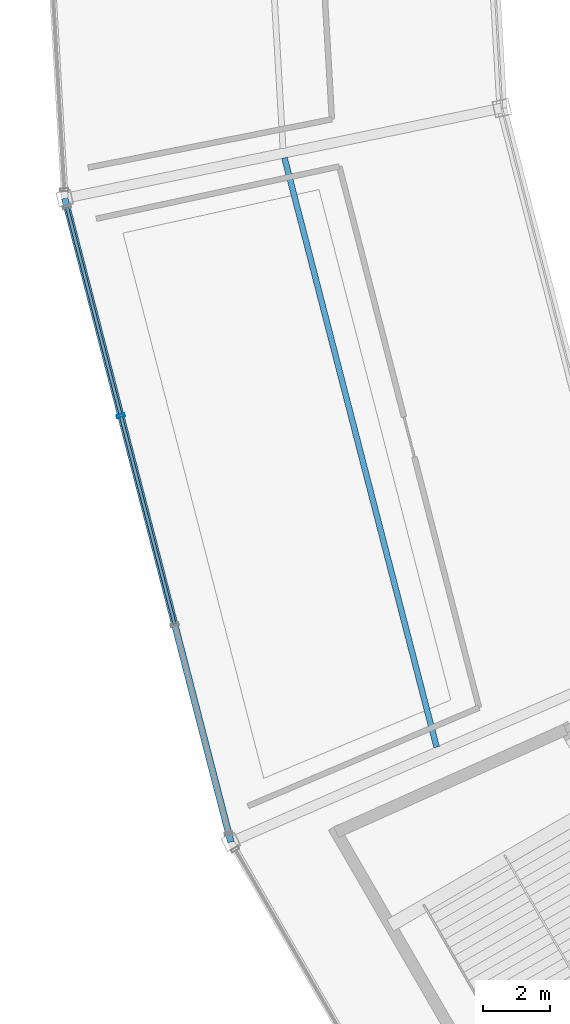
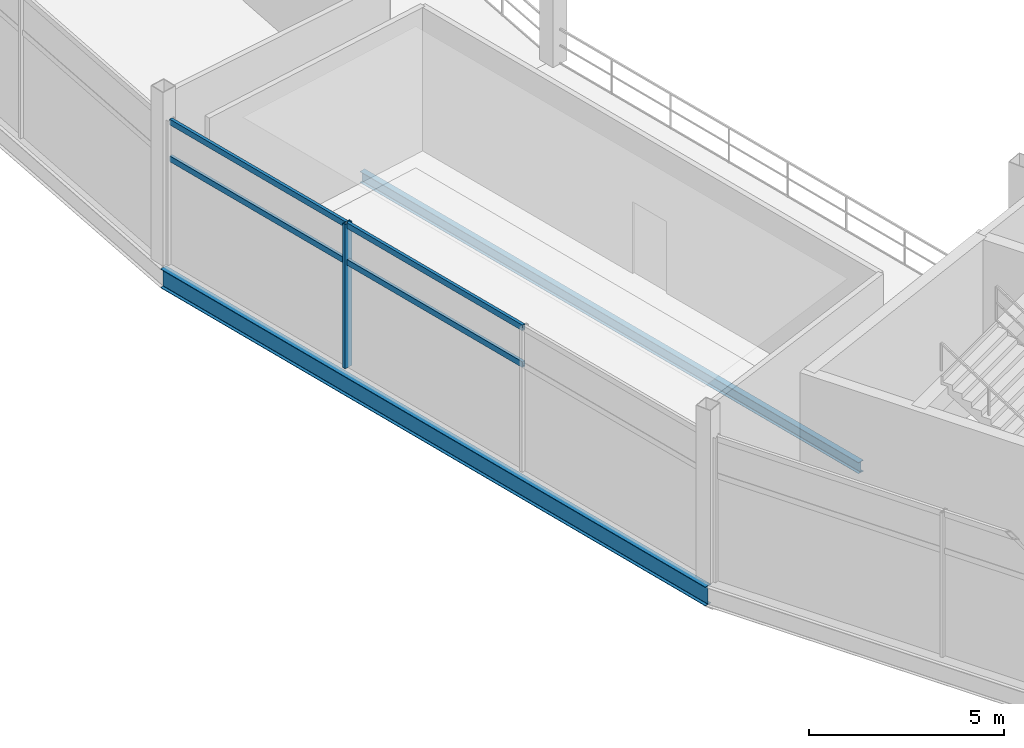
# One storey, part 20 of 103: 5 members, 2 beams, 1 element without a shape of its own.
"""IFC4 building model written with IfcOpenShell, lengths in metres."""

from ifc_helpers import new_model, si_unit, direction, frame, origin, origin_2d, place, context, subcontext, project, spatial, hollow_rectangle, i_section, extrude, material, layer, layer_set, material_profile, profile_set, type_object, element, aggregate, save


model = new_model("IFC4")

# Units and contexts
model_context = context("Model", 3, precision=1e-05, world=origin(), true_north=direction((0.0, 1.0)))
body_context = subcontext(model_context, "Body", "Model", "MODEL_VIEW")
ifc_project = project(units=[si_unit("LENGTHUNIT", "METRE"), si_unit("AREAUNIT", "SQUARE_METRE"), si_unit("VOLUMEUNIT", "CUBIC_METRE"), si_unit("PLANEANGLEUNIT", "RADIAN"), si_unit("MASSUNIT", "GRAM", prefix="KILO")], contexts=[model_context])

# Site, building, storey
site_placement = place(None, origin())
site = spatial("IfcSite", under=ifc_project, at=site_placement, CompositionType="ELEMENT")
building_placement = place(site_placement, origin())
building = spatial("IfcBuilding", under=site, at=building_placement, Name="Kazemori Nagisa Stadium", CompositionType="ELEMENT")
storey_placement = place(building_placement, frame((0.0, 0.0, 25.840087890625)))
storey = spatial("IfcBuildingStorey", under=building, at=storey_placement, Name="L05", CompositionType="ELEMENT", Elevation=25.840087890625)

# Beams
ifc_material_1 = material(Name="Steel SN490B", Category="steel")
ifc_material_profile_1 = material_profile(ifc_material_1, i_section(OverallWidth=0.175048828125, OverallDepth=0.35009765625, WebThickness=0.007080078125, FlangeThickness=0.010986328125, FilletRadius=0.012939453125, at=origin_2d()), Name="H-350x175x7x11")
ifc_profile_set_1 = profile_set([ifc_material_profile_1], Name="Steel SN490B")
beam_type_1 = type_object("IfcBeamType", Name="Beam_BJ-H350", PredefinedType="JOIST", material=ifc_profile_set_1)
beam_1_placement = place(storey_placement, frame((35.72705078125, 83.81982421875, -0.43505859375), z_axis=(0.249965990044, -0.968254617248, 0.0), x_axis=(0.968254617248, 0.249965990044, 0.0)))
element("IfcBeam", 1, at=beam_1_placement, inside=storey, type_object=beam_type_1, Name="Outer bay joist BJ-H350 L05 B16", PredefinedType="JOIST", context=body_context, shape_type="SweptSolid", body=[
    extrude(i_section(OverallWidth=0.175048828125, OverallDepth=0.35009765625, WebThickness=0.007080078125, FlangeThickness=0.010986328125, FilletRadius=0.012939453125, at=origin_2d()), origin(), (0.0, 0.0, 1.0), 18.29736328125),
])
ifc_material_profile_2 = material_profile(ifc_material_1, i_section(OverallWidth=0.199951171875, OverallDepth=0.60009765625, WebThickness=0.010986328125, FlangeThickness=0.01708984375, FilletRadius=0.012939453125, at=origin_2d()), Name="H-600x200x11x17")
ifc_profile_set_2 = profile_set([ifc_material_profile_2], Name="Steel SN490B")
beam_type_2 = type_object("IfcBeamType", Name="Beam_BS-H600", PredefinedType="SPANDREL", material=ifc_profile_set_2)
beam_2_placement = place(storey_placement, frame((29.119140625, 82.602294921875, -0.56005859375), z_axis=(0.249964097999, -0.968255105699, 0.0), x_axis=(0.968255105699, 0.249964097999, 0.0)))
element("IfcBeam", 2, at=beam_2_placement, inside=storey, type_object=beam_type_2, Name="Ring girder BS-H600 L05 R3-16", PredefinedType="SPANDREL", context=body_context, shape_type="SweptSolid", body=[
    extrude(i_section(OverallWidth=0.199951171875, OverallDepth=0.60009765625, WebThickness=0.010986328125, FlangeThickness=0.01708984375, FilletRadius=0.012939453125, at=origin_2d()), origin(), (0.0, 0.0, 1.0), 19.986328125),
])

# Curtain wall, members
ifc_material_2 = material(Name="Anodised aluminium 6063-T5", Category="aluminium")
ifc_layer = layer(ifc_material_2, 0.239990234375, Name="Anodised aluminium 6063-T5", Category="aluminium")
ifc_layer_set = layer_set([ifc_layer], Name="Anodised aluminium 6063-T5")
curtain_wall_type = type_object("IfcCurtainWallType", Name="CW_L05R3_98", PredefinedType="USERDEFINED", material=ifc_layer_set)
curtain_wall_placement = place(storey_placement, origin())
curtain_wall = element("IfcCurtainWall", 3, at=curtain_wall_placement, inside=storey, type_object=curtain_wall_type, Name="Unitised curtain wall CW-L05R3-98 L05", ObjectType="UNITISED CURTAIN WALL", PredefinedType="USERDEFINED")
ifc_material_3 = material(Name="Aluminium 6063-T5 anodised", Category="aluminium")
ifc_material_profile_3 = material_profile(ifc_material_3, hollow_rectangle(XDim=0.090087890625, YDim=0.239990234375, WallThickness=0.0048828125, at=origin_2d()), Name="ALU-MULL-90x240x5")
ifc_profile_set_3 = profile_set([ifc_material_profile_3], Name="Aluminium 6063-T5 anodised")
member_type_1 = type_object("IfcMemberType", Name="Mullion_M03", PredefinedType="MULLION", material=ifc_profile_set_3)
member_1_placement = place(storey_placement, frame((30.8056640625, 76.0693359375, 0.0), z_axis=(0.0, 0.0, 1.0), x_axis=(0.249964642418, -0.968254965152, 0.0)))
member_1 = element("IfcMember", 4, at=member_1_placement, type_object=member_type_1, Name="Curtain wall mullion CW-L05R3-98-M2", PredefinedType="MULLION", context=body_context, shape_type="SweptSolid", body=[
    extrude(hollow_rectangle(XDim=0.090087890625, YDim=0.239990234375, WallThickness=0.0048828125, at=origin_2d()), origin(), (0.0, 0.0, 1.0), 4.530029296875),
])
ifc_material_profile_4 = material_profile(ifc_material_3, hollow_rectangle(XDim=0.090087890625, YDim=0.179931640625, WallThickness=0.0048828125, at=origin_2d()), Name="ALU-TRAN-90x180x5")
ifc_profile_set_4 = profile_set([ifc_material_profile_4], Name="Aluminium 6063-T5 anodised")
member_type_2 = type_object("IfcMemberType", Name="Transom_T03", PredefinedType="USERDEFINED", material=ifc_profile_set_4)
member_2_placement = place(storey_placement, frame((29.18798828125, 82.3359375, 3.306884765625), z_axis=(0.249971861357, -0.968253101482, 0.0), x_axis=(0.968253101482, 0.249971861357, 0.0)))
member_2 = element("IfcMember", 5, at=member_2_placement, type_object=member_type_2, Name="Curtain wall transom CW-L05R3-98-T1-mid", ObjectType="TRANSOM", PredefinedType="USERDEFINED", context=body_context, shape_type="SweptSolid", body=[
    extrude(hollow_rectangle(XDim=0.090087890625, YDim=0.179931640625, WallThickness=0.0048828125, at=origin_2d()), origin(), (0.0, 0.0, 1.0), 6.451904296875),
])
member_3_placement = place(storey_placement, frame((29.18798828125, 82.3359375, 4.4599609375), z_axis=(0.249971861357, -0.968253101482, 0.0), x_axis=(0.968253101482, 0.249971861357, 0.0)))
member_3 = element("IfcMember", 6, at=member_3_placement, type_object=member_type_2, Name="Curtain wall transom CW-L05R3-98-T1-head", ObjectType="TRANSOM", PredefinedType="USERDEFINED", context=body_context, shape_type="SweptSolid", body=[
    extrude(hollow_rectangle(XDim=0.090087890625, YDim=0.179931640625, WallThickness=0.0048828125, at=origin_2d()), origin(), (0.0, 0.0, 1.0), 6.451904296875),
])
member_4_placement = place(storey_placement, frame((30.810791015625, 76.050048828125, 3.306884765625), z_axis=(0.249962703007, -0.968255465828, 0.0), x_axis=(0.968255465828, 0.249962703007, 0.0)))
member_4 = element("IfcMember", 7, at=member_4_placement, type_object=member_type_2, Name="Curtain wall transom CW-L05R3-98-T2-mid", ObjectType="TRANSOM", PredefinedType="USERDEFINED", context=body_context, shape_type="SweptSolid", body=[
    extrude(hollow_rectangle(XDim=0.090087890625, YDim=0.179931640625, WallThickness=0.0048828125, at=origin_2d()), origin(), (0.0, 0.0, 1.0), 6.4521484375),
])
member_5_placement = place(storey_placement, frame((30.810791015625, 76.050048828125, 4.4599609375), z_axis=(0.249962703007, -0.968255465828, 0.0), x_axis=(0.968255465828, 0.249962703007, 0.0)))
member_5 = element("IfcMember", 8, at=member_5_placement, type_object=member_type_2, Name="Curtain wall transom CW-L05R3-98-T2-head", ObjectType="TRANSOM", PredefinedType="USERDEFINED", context=body_context, shape_type="SweptSolid", body=[
    extrude(hollow_rectangle(XDim=0.090087890625, YDim=0.179931640625, WallThickness=0.0048828125, at=origin_2d()), origin(), (0.0, 0.0, 1.0), 6.4521484375),
])
aggregate(curtain_wall, [member_1, member_2, member_3, member_4, member_5])

save(model, "model.ifc")
